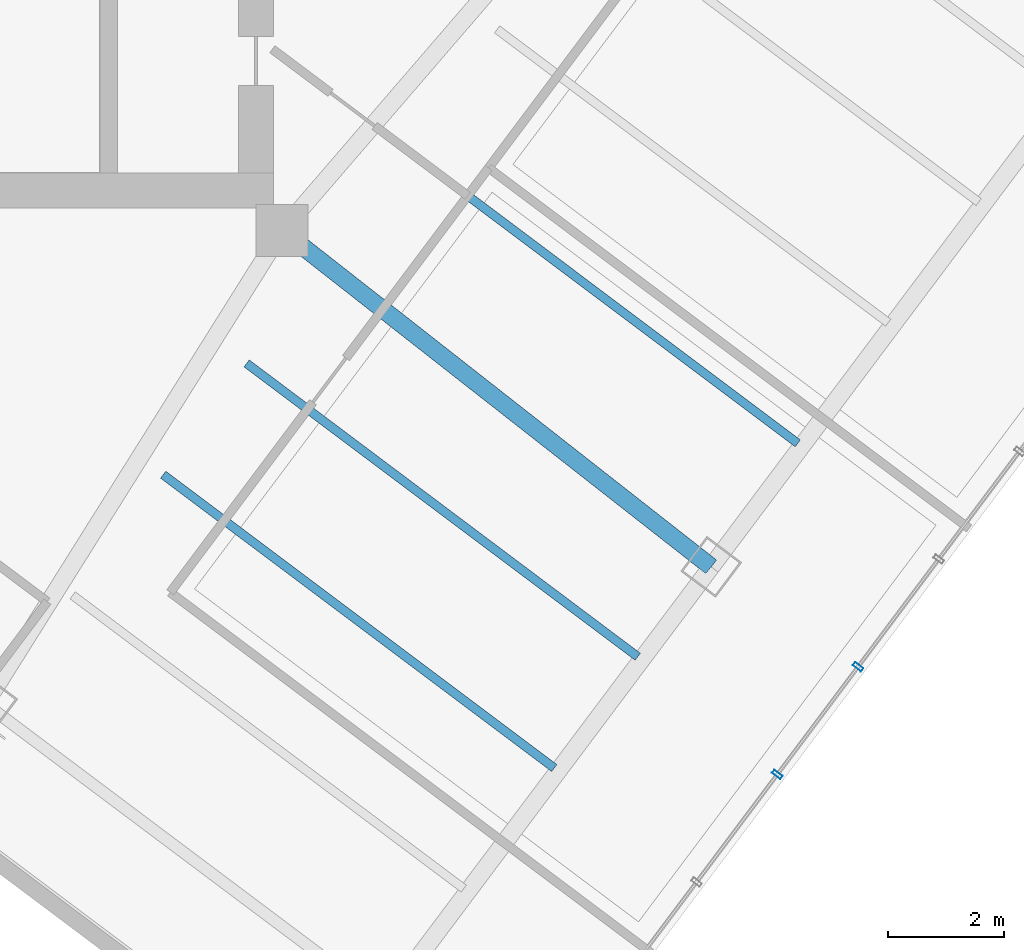
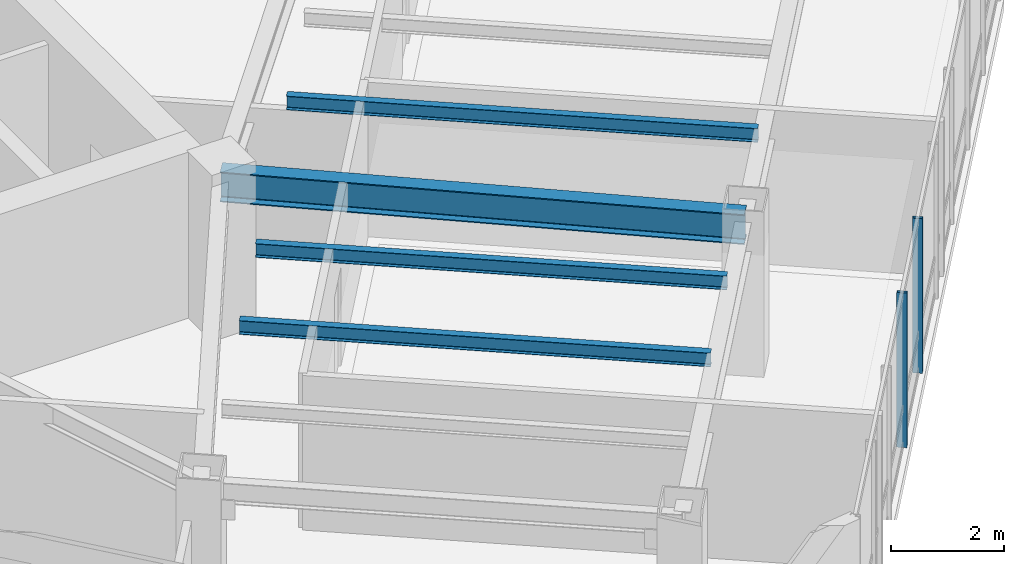
# One storey, part 11 of 27: 4 beams, 2 members, 1 element without a shape of its own.
"""IFC4 building model written with IfcOpenShell, lengths in metres."""

from ifc_helpers import new_model, si_unit, direction, frame, origin, origin_2d, place, context, subcontext, project, spatial, hollow_rectangle, i_section, extrude, material, layer, layer_set, material_profile, profile_set, type_object, element, aggregate, save


model = new_model("IFC4")

# Units and contexts
model_context = context("Model", 3, precision=1e-05, world=origin(), true_north=direction((0.0, 1.0)))
body_context = subcontext(model_context, "Body", "Model", "MODEL_VIEW")
ifc_project = project(units=[si_unit("LENGTHUNIT", "METRE"), si_unit("AREAUNIT", "SQUARE_METRE"), si_unit("VOLUMEUNIT", "CUBIC_METRE"), si_unit("PLANEANGLEUNIT", "RADIAN"), si_unit("MASSUNIT", "GRAM", prefix="KILO")], contexts=[model_context])

# Site, building, storey
site_placement = place(None, origin())
site = spatial("IfcSite", under=ifc_project, at=site_placement, CompositionType="ELEMENT")
building_placement = place(site_placement, origin())
building = spatial("IfcBuilding", under=site, at=building_placement, Name="Hatsunagi Terrace Concourse", CompositionType="ELEMENT")
storey_placement = place(building_placement, frame((0.0, 0.0, 174.449951171875)))
storey = spatial("IfcBuildingStorey", under=building, at=storey_placement, Name="L46", CompositionType="ELEMENT", Elevation=174.449951171875)

# Curtain wall, members
ifc_material_1 = material(Name="Anodised Aluminium Alloy 6063-T5", Category="aluminium")
ifc_layer = layer(ifc_material_1, 0.199951171875)
ifc_layer_set = layer_set([ifc_layer], Name="OfficeZone1_CW03")
curtain_wall_type = type_object("IfcCurtainWallType", Name="OfficeZone1_CW03", PredefinedType="NOTDEFINED", material=ifc_layer_set)
curtain_wall_placement = place(storey_placement, origin())
curtain_wall = element("IfcCurtainWall", 1, at=curtain_wall_placement, inside=storey, type_object=curtain_wall_type, Name="Unitised Curtain Wall CW-03 CW-L46-03", PredefinedType="NOTDEFINED")
ifc_material_2 = material(Name="Anodised Aluminium Alloy 6063-T5", Category="aluminium")
ifc_material_profile_1 = material_profile(ifc_material_2, hollow_rectangle(XDim=0.070068359375, YDim=0.179931640625, WallThickness=0.00390625, at=origin_2d()), Name="ALU-MUL-180x70x4")
ifc_profile_set_1 = profile_set([ifc_material_profile_1], Name="Anodised Aluminium Alloy 6063-T5")
member_type = type_object("IfcMemberType", Name="CurtainWallMullion_180x70", PredefinedType="MULLION", material=ifc_profile_set_1)
member_1_placement = place(storey_placement, frame((53.73193359375, 16.676025390625, 0.0), z_axis=(0.0, 0.0, 1.0), x_axis=(-0.599969314634, -0.800023013105, 0.0)))
member_1 = element("IfcMember", 2, at=member_1_placement, type_object=member_type, Name="Curtain Wall Mullion MUL-02", PredefinedType="MULLION", context=body_context, shape_type="SweptSolid", body=[
    extrude(hollow_rectangle(XDim=0.070068359375, YDim=0.179931640625, WallThickness=0.00390625, at=origin_2d()), origin(), (0.0, 0.0, 1.0), 3.35009765625),
])
member_2_placement = place(storey_placement, frame((52.340087890625, 14.819091796875, 0.0), z_axis=(0.0, 0.0, 1.0), x_axis=(-0.599969314634, -0.800023013105, 0.0)))
member_2 = element("IfcMember", 3, at=member_2_placement, type_object=member_type, Name="Curtain Wall Mullion MUL-02", PredefinedType="MULLION", context=body_context, shape_type="SweptSolid", body=[
    extrude(hollow_rectangle(XDim=0.070068359375, YDim=0.179931640625, WallThickness=0.00390625, at=origin_2d()), origin(), (0.0, 0.0, 1.0), 3.35009765625),
])
aggregate(curtain_wall, [member_1, member_2])

# Beams
ifc_material_3 = material(Name="Steel SN490B", Category="steel")
ifc_material_profile_2 = material_profile(ifc_material_3, i_section(OverallWidth=0.14990234375, OverallDepth=0.300048828125, WebThickness=0.006591796875, FlangeThickness=0.009033203125, FilletRadius=0.010986328125, at=origin_2d()), Name="H-300x150x6.5x9")
ifc_profile_set_2 = profile_set([ifc_material_profile_2], Name="Steel SN490B")
beam_type_1 = type_object("IfcBeamType", Name="OfficeJoist_H_300x150", PredefinedType="JOIST", material=ifc_profile_set_2)
for number, where, z_axis, x_axis, name in (
    (4, (41.748046875, 19.989013671875, 3.199951171875), (0.799989573921, -0.600013901187, 0.0), (0.600013901187, 0.799989573921, 0.0), "Beam J-03 J-L46-SE-2-72"),
    (5, (43.18798828125, 21.908935546875, 3.199951171875), (0.800003475366, -0.59999536615, 0.0), (0.59999536615, 0.800003475366, 0.0), "Beam J-03 J-L46-SE-2-96"),
    (6, (45.947998046875, 25.589111328125, 3.199951171875), (0.799989573921, -0.600013901187, 0.0), (0.600013901187, 0.799989573921, 0.0), "Beam J-03 J-L46-SE-2-142"),
):
    element("IfcBeam", number, at=place(storey_placement, frame(where, z_axis=z_axis, x_axis=x_axis)), inside=storey, type_object=beam_type_1, Name=name, PredefinedType="JOIST", context=body_context, shape_type="SweptSolid", body=[
        extrude(i_section(OverallWidth=0.14990234375, OverallDepth=0.300048828125, WebThickness=0.006591796875, FlangeThickness=0.009033203125, FilletRadius=0.010986328125, at=origin_2d()), origin(), (0.0, 0.0, 1.0), 8.429931640625),
    ])
ifc_material_4 = material(Name="Steel SN490B", Category="steel")
ifc_material_profile_3 = material_profile(ifc_material_4, i_section(OverallWidth=0.300048828125, OverallDepth=0.64990234375, WebThickness=0.012939453125, FlangeThickness=0.02197265625, FilletRadius=0.01806640625, at=origin_2d()), Name="H-650x300x13x22")
ifc_profile_set_3 = profile_set([ifc_material_profile_3], Name="Steel SN490B")
beam_type_2 = type_object("IfcBeamType", Name="OfficeLowGirder_H_650x300", PredefinedType="BEAM", material=ifc_profile_set_3)
beam_placement = place(storey_placement, frame((43.800048828125, 24.199951171875, 3.025146484375), z_axis=(0.787049441068, -0.616889923175, 0.0), x_axis=(0.616889923175, 0.787049441068, 0.0)))
element("IfcBeam", 7, at=beam_placement, inside=storey, type_object=beam_type_2, Name="Beam G-05 BM-L46-SE-M2", PredefinedType="BEAM", context=body_context, shape_type="SweptSolid", body=[
    extrude(i_section(OverallWidth=0.300048828125, OverallDepth=0.64990234375, WebThickness=0.012939453125, FlangeThickness=0.02197265625, FilletRadius=0.01806640625, at=origin_2d()), origin(), (0.0, 0.0, 1.0), 9.402099609375),
])

save(model, "model.ifc")
